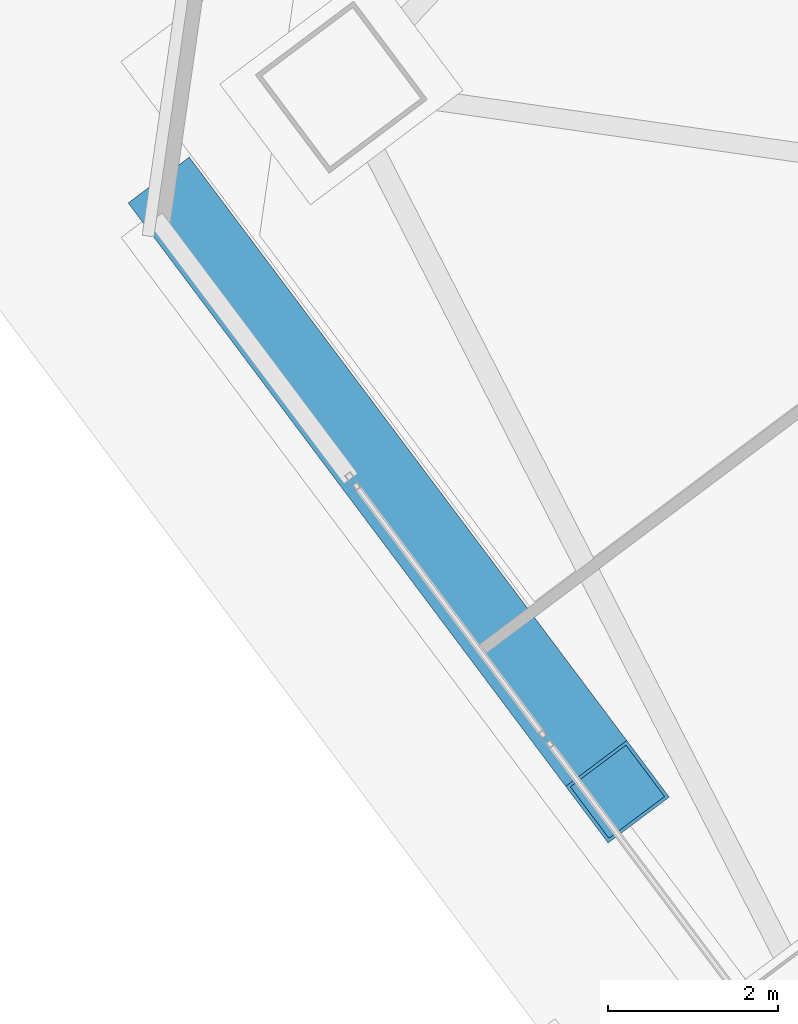
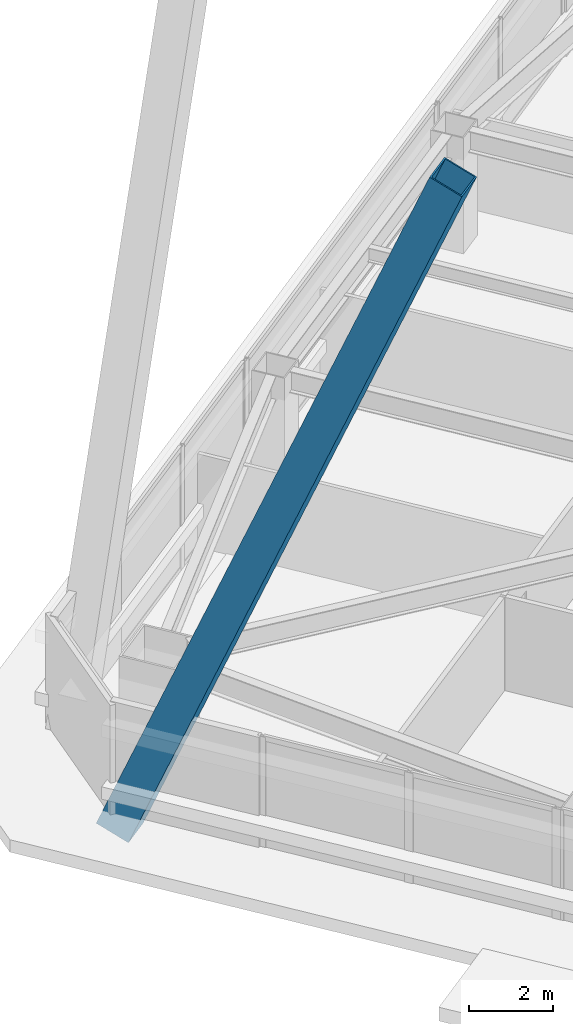
# One storey, part 36 of 67: 1 member.
"""IFC4 building model written with IfcOpenShell, lengths in metres."""

from ifc_helpers import new_model, si_unit, direction, frame, origin, origin_2d, place, context, subcontext, project, spatial, hollow_rectangle, extrude, material, material_profile, profile_set, type_object, element, save


model = new_model("IFC4")

# Units and contexts
model_context = context("Model", 3, precision=1e-05, world=origin(), true_north=direction((0.0, 1.0)))
body_context = subcontext(model_context, "Body", "Model", "MODEL_VIEW")
ifc_project = project(units=[si_unit("LENGTHUNIT", "METRE"), si_unit("AREAUNIT", "SQUARE_METRE"), si_unit("VOLUMEUNIT", "CUBIC_METRE"), si_unit("PLANEANGLEUNIT", "RADIAN"), si_unit("MASSUNIT", "GRAM", prefix="KILO")], contexts=[model_context])

# Site, building, storey
site_placement = place(None, origin())
site = spatial("IfcSite", under=ifc_project, at=site_placement, CompositionType="ELEMENT")
building_placement = place(site_placement, origin())
building = spatial("IfcBuilding", under=site, at=building_placement, Name="Tashvorn Skyway Center", CompositionType="ELEMENT")
storey_placement = place(building_placement, frame((0.0, 0.0, 67.199951171875)))
storey = spatial("IfcBuildingStorey", under=building, at=storey_placement, Name="L17", CompositionType="ELEMENT", Elevation=67.199951171875)

# Member
ifc_material = material(Name="Steel ASTM A572 Grade 50", Category="steel")
ifc_material_profile = material_profile(ifc_material, hollow_rectangle(XDim=0.89990234375, YDim=0.89990234375, WallThickness=0.0400390625, at=origin_2d()), Name="BOX900x900x40")
ifc_profile_set = profile_set([ifc_material_profile], Name="Steel ASTM A572 Grade 50")
member_type = type_object("IfcMemberType", Name="MEM-MB-900", PredefinedType="BRACE", material=ifc_profile_set)
member_placement = place(storey_placement, frame((88.01611328125, 34.011962890625, -0.219970703125), z_axis=(0.226734257353, -0.302312343137, 0.92585032469), x_axis=(0.8, 0.6, 0.0)))
element("IfcMember", 1, at=member_placement, inside=storey, type_object=member_type, Name="Tower 2 Zone 2 W Chevron Mega-Brace L1", PredefinedType="BRACE", context=body_context, shape_type="SweptSolid", body=[
    extrude(hollow_rectangle(XDim=0.89990234375, YDim=0.89990234375, WallThickness=0.0400390625, at=origin_2d()), origin(), (0.0, 0.0, 1.0), 22.757568359375),
])

save(model, "model.ifc")
